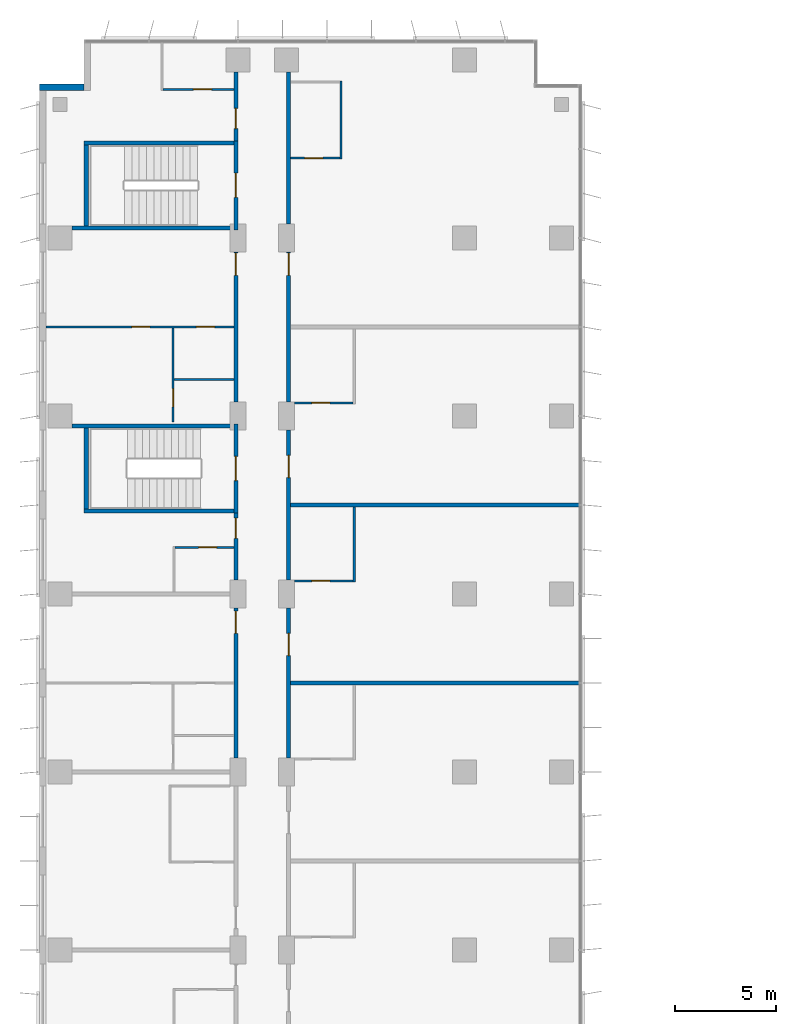
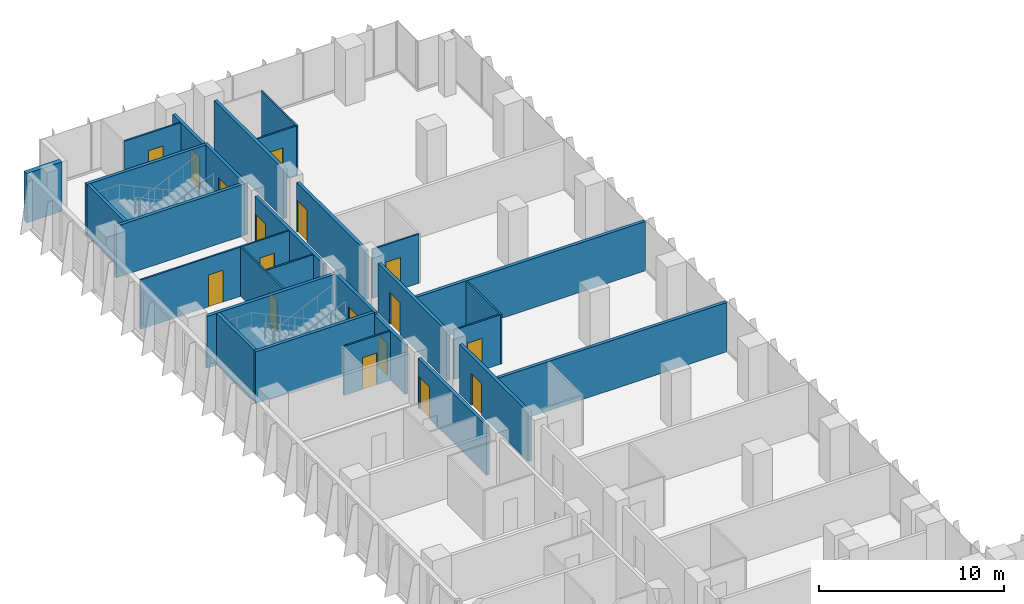
# One storey, part 17 of 22: 29 walls, 17 doors, 17 openings.
"""IFC4 building model written with IfcOpenShell, lengths in metres."""

import ifcopenshell
import ifcopenshell.guid

model = None  # the IFC model being written
_history = None  # IfcOwnerHistory: only IFC2X3 demands one
_inside = {}  # id of a spatial element -> (the spatial element, [elements in it])
_under = {}  # id of a project, library or spatial element -> (it, [spatial elements below it])
_declared = {}  # id of a project -> (the project, [libraries it declares])
_typed = {}  # id of a type object -> (the type object, [elements of that type])
_made_of = {}  # id of a material, layer set ... -> (it, [elements and type objects made of it])


def new_model(schema):
    """Start an empty IFC model of exactly this schema.

    Asked for "IFC4X3", IfcOpenShell would pick the latest addendum, in which some entities
    have other attributes; the version numbers below select the first issue.
    IFC2X3 requires an IfcOwnerHistory on every rooted entity: one is made here for all.
    """
    global model, _history
    if schema == "IFC4X3":
        model = ifcopenshell.file(schema_version=(4, 3, 0, 0))
    else:
        model = ifcopenshell.file(schema=schema)
    _inside.clear()
    _under.clear()
    _declared.clear()
    _typed.clear()
    _made_of.clear()
    _history = None
    if model.schema == "IFC2X3":
        org = make("IfcOrganization", Name="unknown")
        user = make(
            "IfcPersonAndOrganization",
            ThePerson=make("IfcPerson", FamilyName="unknown"),
            TheOrganization=org,
        )
        app = make(
            "IfcApplication",
            ApplicationDeveloper=org,
            Version="unknown",
            ApplicationFullName="unknown",
            ApplicationIdentifier="unknown",
        )
        _history = make(
            "IfcOwnerHistory",
            OwningUser=user,
            OwningApplication=app,
            ChangeAction="ADDED",
            CreationDate=0,
        )
    return model


def make(cls, **values):
    """One entity of the class cls with the attributes given. An attribute that is None is left unset."""
    return model.create_entity(
        cls, **{name: value for name, value in values.items() if value is not None}
    )


def rooted(cls, **values):
    """An entity with a GlobalId (a new one), such as an element, a storey or a relation."""
    return make(cls, GlobalId=ifcopenshell.guid.new(), OwnerHistory=_history, **values)


def si_unit(unit_type, name, prefix=None):
    """IfcSIUnit, for example si_unit("LENGTHUNIT", "METRE", prefix="MILLI")."""
    return make("IfcSIUnit", UnitType=unit_type, Prefix=prefix, Name=name)


def assignment(units):
    """IfcUnitAssignment: the units of a project."""
    return None if units is None else make("IfcUnitAssignment", Units=units)


def point(xyz):
    """IfcCartesianPoint."""
    return None if xyz is None else make("IfcCartesianPoint", Coordinates=xyz)


def direction(xyz):
    """IfcDirection."""
    return None if xyz is None else make("IfcDirection", DirectionRatios=xyz)


def frame(location, z_axis=None, x_axis=None):
    """IfcAxis2Placement3D, a coordinate frame: its origin and axes. An axis left out is left unset."""
    return make(
        "IfcAxis2Placement3D",
        Location=point(location),
        Axis=direction(z_axis),
        RefDirection=direction(x_axis),
    )


def frame_2d(location, x_axis=None):
    """IfcAxis2Placement2D, a coordinate frame in the plane: its origin and x axis."""
    return make(
        "IfcAxis2Placement2D", Location=point(location), RefDirection=direction(x_axis)
    )


def origin():
    """The frame at (0, 0, 0) with its axes left unset."""
    return frame((0.0, 0.0, 0.0))


def place(relative_to, where):
    """IfcLocalPlacement: puts the frame where relative to a parent placement (None: the world)."""
    return make(
        "IfcLocalPlacement", PlacementRelTo=relative_to, RelativePlacement=where
    )


def context(
    kind, dimensions, precision=None, world=None, true_north=None, identifier=None
):
    """IfcGeometricRepresentationContext, for example the 3D "Model" context."""
    return make(
        "IfcGeometricRepresentationContext",
        ContextIdentifier=identifier,
        ContextType=kind,
        CoordinateSpaceDimension=dimensions,
        Precision=precision,
        WorldCoordinateSystem=world,
        TrueNorth=true_north,
    )


def subcontext(parent, identifier, kind, view, scale=None):
    """IfcGeometricRepresentationSubContext, for example "Body" below "Model"."""
    return make(
        "IfcGeometricRepresentationSubContext",
        ContextIdentifier=identifier,
        ContextType=kind,
        ParentContext=parent,
        TargetScale=scale,
        TargetView=view,
    )


def project(units=None, contexts=None):
    """IfcProject with its units and contexts."""
    return rooted(
        "IfcProject",
        Name="project",
        RepresentationContexts=contexts,
        UnitsInContext=assignment(units),
    )


def spatial(cls, under=None, at=None, **own):
    """A site, building, storey or space (cls), placed at a placement, below another one or the project."""
    s = rooted(cls, ObjectPlacement=at, **own)
    if under is not None:
        _under.setdefault(under.id(), (under, []))[1].append(s)
    return s


def profile(cls, at=None, kind="AREA", **sizes):
    """A parametric profile (cls). Its sizes go by their IFC names, for example OverallWidth=200.0."""
    return make(cls, ProfileType=kind, Position=at, **sizes)


def rectangle(**sizes):
    """IfcRectangleProfileDef."""
    return profile("IfcRectangleProfileDef", **sizes)


def extrude(swept, where, along, depth):
    """IfcExtrudedAreaSolid: the profile swept, set in the frame where, extruded along a direction by depth."""
    return make(
        "IfcExtrudedAreaSolid",
        SweptArea=swept,
        Position=where,
        ExtrudedDirection=direction(along),
        Depth=depth,
    )


def shape(context_of_items, identifier, shape_type, items):
    """IfcShapeRepresentation: the items that make up one representation, for example the "Body"."""
    return make(
        "IfcShapeRepresentation",
        ContextOfItems=context_of_items,
        RepresentationIdentifier=identifier,
        RepresentationType=shape_type,
        Items=items,
    )


def material(Name=None, Category=None):
    """IfcMaterial."""
    return make("IfcMaterial", Name=Name, Category=Category)


def layer(
    of_material, thickness, ventilated=None, Name=None, Category=None, Priority=None
):
    """IfcMaterialLayer: one layer of a wall or slab, of a material (None: an air gap)."""
    return make(
        "IfcMaterialLayer",
        Material=of_material,
        LayerThickness=thickness,
        IsVentilated=ventilated,
        Name=Name,
        Category=Category,
        Priority=Priority,
    )


def layer_set(layers, Name=None):
    """IfcMaterialLayerSet."""
    return make("IfcMaterialLayerSet", MaterialLayers=layers, LayerSetName=Name)


def made_of(thing, what):
    """Note that an element or type object is made of a material, layer set ...; save() writes the relation."""
    if what is not None:
        _made_of.setdefault(what.id(), (what, []))[1].append(thing)
    return thing


def type_object(cls, material=None, **own):
    """A type object (cls), such as IfcWallType, which elements share."""
    return made_of(rooted(cls, **own), material)


def element(
    cls,
    number,
    at=None,
    inside=None,
    cuts=None,
    type_object=None,
    material=None,
    context=None,
    identifier="Body",
    shape_type=None,
    held_by="IfcProductDefinitionShape",
    body=None,
    shapes=None,
    **own,
):
    """One element of the class cls, such as IfcWall. Its Tag is "e" and its number.

    at: its placement. inside: the storey or other place that contains it. cuts: it is an
    opening in that element (IfcRelVoidsElement). A single representation is given by context,
    identifier, shape_type and body (its items); several are given by shapes. held_by: the class
    of the entity that holds the representations. save() writes the other relations.
    """
    e = rooted(cls, Tag="e%d" % number, ObjectPlacement=at, **own)
    if body is not None:
        shapes = [shape(context, identifier, shape_type, body)]
    if shapes is not None:
        e.Representation = make(held_by, Representations=shapes)
    if inside is not None:
        _inside.setdefault(inside.id(), (inside, []))[1].append(e)
    if cuts is not None:
        rooted(
            "IfcRelVoidsElement", RelatingBuildingElement=cuts, RelatedOpeningElement=e
        )
    if type_object is not None:
        _typed.setdefault(type_object.id(), (type_object, []))[1].append(e)
    return made_of(e, material)


def fill(opening, filler):
    """IfcRelFillsElement: the door or window that sits in an opening."""
    return rooted(
        "IfcRelFillsElement",
        RelatingOpeningElement=opening,
        RelatedBuildingElement=filler,
    )


def aggregate(whole, parts):
    """IfcRelAggregates: a whole, such as a stair, and the parts it consists of."""
    return rooted("IfcRelAggregates", RelatingObject=whole, RelatedObjects=parts)


def save(model, path):
    """Write the relations noted so far, then the file.

    IfcRelAggregates (storeys below a building ...), IfcRelContainedInSpatialStructure (elements
    in a storey), IfcRelDefinesByType, IfcRelAssociatesMaterial and IfcRelDeclares: one each for
    every whole, place, type object, material and project.
    """
    for whole, parts in _under.values():
        aggregate(whole, parts)
    for where, things in _inside.values():
        rooted(
            "IfcRelContainedInSpatialStructure",
            RelatedElements=things,
            RelatingStructure=where,
        )
    for kind, things in _typed.values():
        rooted("IfcRelDefinesByType", RelatedObjects=things, RelatingType=kind)
    for what, things in _made_of.values():
        rooted("IfcRelAssociatesMaterial", RelatedObjects=things, RelatingMaterial=what)
    for by, libraries in _declared.values():
        rooted("IfcRelDeclares", RelatingContext=by, RelatedDefinitions=libraries)
    model.write(path)


model = new_model("IFC4")

# Units and contexts
model_context = context("Model", 3, precision=1e-05, world=origin(), true_north=direction((0.0, 1.0)))
body_context = subcontext(model_context, "Body", "Model", "MODEL_VIEW")
ifc_project = project(units=[si_unit("LENGTHUNIT", "METRE"), si_unit("AREAUNIT", "SQUARE_METRE"), si_unit("VOLUMEUNIT", "CUBIC_METRE"), si_unit("PLANEANGLEUNIT", "RADIAN"), si_unit("MASSUNIT", "GRAM", prefix="KILO")], contexts=[model_context])

# Site, building, storey
site_placement = place(None, origin())
site = spatial("IfcSite", under=ifc_project, at=site_placement, CompositionType="ELEMENT")
building_placement = place(site_placement, origin())
building = spatial("IfcBuilding", under=site, at=building_placement, Name="Kemantara Hotel Tower", CompositionType="ELEMENT")
storey_placement = place(building_placement, frame((0.0, 0.0, 149.39990234375)))
storey = spatial("IfcBuildingStorey", under=building, at=storey_placement, Name="L36", CompositionType="ELEMENT", Elevation=149.39990234375)

# Wall
ifc_material_1 = material(Name="Bronze anodised aluminium cladding on insulated steel stud wall", Category="steel")
ifc_layer_1 = layer(ifc_material_1, 0.300048828125)
ifc_layer_set_1 = layer_set([ifc_layer_1], Name="Bronze anodised aluminium cladding on insulated steel stud wall")
wall_type_1 = type_object("IfcWallType", Name="BRONZE METAL-CLAD EXTERNAL WALL 300", PredefinedType="STANDARD", material=ifc_layer_set_1)
wall_1_placement = place(storey_placement, frame((2.199951171875, 78.85009765625, 0.0), z_axis=(0.0, 0.0, 1.0), x_axis=(-1.0, 0.0, 0.0)))
element("IfcWall", 1, at=wall_1_placement, inside=storey, type_object=wall_type_1, Name="EXTERNAL WALL L36 T2-R03", PredefinedType="STANDARD", context=body_context, shape_type="SweptSolid", body=[
    extrude(rectangle(XDim=2.199951171875, YDim=0.300048828125, at=frame_2d((1.10009765625, 0.0))), origin(), (0.0, 0.0, 1.0), 3.25),
])

# Wall, opening, door
ifc_material_2 = material(Name="Gypsum board partition, steel studs and mineral wool, 200 mm", Category="steel")
ifc_layer_2 = layer(ifc_material_2, 0.199951171875)
ifc_layer_set_2 = layer_set([ifc_layer_2], Name="Gypsum board partition, steel studs and mineral wool, 200 mm")
wall_type_2 = type_object("IfcWallType", Name="CORRIDOR WALL 200", PredefinedType="PARTITIONING", material=ifc_layer_set_2)
wall_2_placement = place(storey_placement, frame((9.699951171875, 45.7001953125, 0.0), z_axis=(0.0, 0.0, 1.0), x_axis=(0.0, 1.0, 0.0)))
wall_2 = element("IfcWall", 2, at=wall_2_placement, inside=storey, type_object=wall_type_2, Name="CORRIDOR WALL 200 021", PredefinedType="PARTITIONING", context=body_context, shape_type="SweptSolid", body=[
    extrude(rectangle(XDim=7.399658203125, YDim=0.199951171875, at=frame_2d((3.69970703125, 0.0))), origin(), (0.0, 0.0, 1.0), 3.25),
])
opening_1_placement = place(wall_2_placement, frame((6.14990234375, 0.0, 0.0)))
opening_1 = element("IfcOpeningElement", 3, at=opening_1_placement, cuts=wall_2, Name="Opening F16-033", PredefinedType="OPENING", context=body_context, shape_type="SweptSolid", body=[
    extrude(rectangle(XDim=1.10009765625, YDim=2.10009765625, at=frame_2d((0.550048828125, 1.050048828125))), frame((0.0, 0.10986328125, 0.0), z_axis=(0.0, -1.0, 0.0), x_axis=(1.0, 0.0, 0.0)), (0.0, 0.0, 1.0), 0.219970703125),
])
ifc_material_3 = material(Name="Hardwood veneer door leaf with steel frame", Category="steel")
door_type_1 = type_object("IfcDoorType", Name="SUITE ENTRANCE DOOR 1100 X 2100 FD30S", OperationType="NOTDEFINED", PredefinedType="DOOR", material=ifc_material_3)
door_1_placement = place(opening_1_placement, origin())
door_1 = element("IfcDoor", 4, at=door_1_placement, inside=storey, type_object=door_type_1, Name="SUITE ENTRANCE DOOR F16-033", OperationType="SINGLE_SWING_RIGHT", OverallHeight=2.10009765625, OverallWidth=1.10009765625, PredefinedType="DOOR", context=body_context, shape_type="SweptSolid", body=[
    extrude(rectangle(XDim=1.10009765625, YDim=2.10009765625, at=frame_2d((0.550048828125, 1.050048828125))), frame((0.0, 0.02490234375, 0.0), z_axis=(0.0, -1.0, 0.0), x_axis=(1.0, 0.0, 0.0)), (0.0, 0.0, 1.0), 0.050048828125),
])
fill(opening_1, door_1)

wall_3_placement = place(storey_placement, frame((9.699951171875, 54.5, 0.0), z_axis=(0.0, 0.0, 1.0), x_axis=(0.0, 1.0, 0.0)))
wall_3 = element("IfcWall", 5, at=wall_3_placement, inside=storey, type_object=wall_type_2, Name="CORRIDOR WALL 200 022", PredefinedType="PARTITIONING", context=body_context, shape_type="SweptSolid", body=[
    extrude(rectangle(XDim=3.300048828125, YDim=0.199951171875, at=frame_2d((1.64990234375, 0.0))), origin(), (0.0, 0.0, 1.0), 3.25),
])
opening_2_placement = place(wall_3_placement, frame((2.0498046875, 0.0, 0.0)))
opening_2 = element("IfcOpeningElement", 6, at=opening_2_placement, cuts=wall_3, Name="Opening F16-037", PredefinedType="OPENING", context=body_context, shape_type="SweptSolid", body=[
    extrude(rectangle(XDim=1.0, YDim=2.10009765625, at=frame_2d((0.5, 1.050048828125))), frame((0.0, 0.10986328125, 0.0), z_axis=(0.0, -1.0, 0.0), x_axis=(1.0, 0.0, 0.0)), (0.0, 0.0, 1.0), 0.219970703125),
])
door_type_2 = type_object("IfcDoorType", Name="GUEST ROOM DOOR 1000 X 2100 FD30S", OperationType="NOTDEFINED", PredefinedType="DOOR", material=ifc_material_3)
door_2_placement = place(opening_2_placement, origin())
door_2 = element("IfcDoor", 7, at=door_2_placement, inside=storey, type_object=door_type_2, Name="GUEST ROOM DOOR F16-037", OperationType="SINGLE_SWING_RIGHT", OverallHeight=2.10009765625, OverallWidth=1.0, PredefinedType="DOOR", context=body_context, shape_type="SweptSolid", body=[
    extrude(rectangle(XDim=1.0, YDim=2.10009765625, at=frame_2d((0.5, 1.050048828125))), frame((0.0, 0.02490234375, 0.0), z_axis=(0.0, -1.0, 0.0), x_axis=(1.0, 0.0, 0.0)), (0.0, 0.0, 1.0), 0.050048828125),
])
fill(opening_2, door_2)

wall_4_placement = place(storey_placement, frame((9.699951171875, 63.300048828125, 0.0), z_axis=(0.0, 0.0, 1.0), x_axis=(0.0, 1.0, 0.0)))
wall_4 = element("IfcWall", 8, at=wall_4_placement, inside=storey, type_object=wall_type_2, Name="CORRIDOR WALL 200 023", PredefinedType="PARTITIONING", context=body_context, shape_type="SweptSolid", body=[
    extrude(rectangle(XDim=7.39990234375, YDim=0.199951171875, at=frame_2d((3.699951171875, 0.0))), origin(), (0.0, 0.0, 1.0), 3.25),
])
opening_3_placement = place(wall_4_placement, frame((6.25, 0.0, 0.0)))
opening_3 = element("IfcOpeningElement", 9, at=opening_3_placement, cuts=wall_4, Name="Opening F16-039", PredefinedType="OPENING", context=body_context, shape_type="SweptSolid", body=[
    extrude(rectangle(XDim=1.10009765625, YDim=2.10009765625, at=frame_2d((0.550048828125, 1.050048828125))), frame((0.0, 0.10986328125, 0.0), z_axis=(0.0, -1.0, 0.0), x_axis=(1.0, 0.0, 0.0)), (0.0, 0.0, 1.0), 0.219970703125),
])
door_3_placement = place(opening_3_placement, origin())
door_3 = element("IfcDoor", 10, at=door_3_placement, inside=storey, type_object=door_type_1, Name="SUITE ENTRANCE DOOR F16-039", OperationType="SINGLE_SWING_RIGHT", OverallHeight=2.10009765625, OverallWidth=1.10009765625, PredefinedType="DOOR", context=body_context, shape_type="SweptSolid", body=[
    extrude(rectangle(XDim=1.10009765625, YDim=2.10009765625, at=frame_2d((0.550048828125, 1.050048828125))), frame((0.0, 0.02490234375, 0.0), z_axis=(0.0, -1.0, 0.0), x_axis=(1.0, 0.0, 0.0)), (0.0, 0.0, 1.0), 0.050048828125),
])
fill(opening_3, door_3)

wall_5_placement = place(storey_placement, frame((9.699951171875, 76.199951171875, 0.0), z_axis=(0.0, 0.0, 1.0), x_axis=(0.0, 1.0, 0.0)))
wall_5 = element("IfcWall", 11, at=wall_5_placement, inside=storey, type_object=wall_type_2, Name="CORRIDOR WALL 200 024", PredefinedType="PARTITIONING", context=body_context, shape_type="SweptSolid", body=[
    extrude(rectangle(XDim=3.39990234375, YDim=0.199951171875, at=frame_2d((1.699951171875, 0.0))), origin(), (0.0, 0.0, 1.0), 3.25),
])
opening_4_placement = place(wall_5_placement, frame((0.60009765625, 0.0, 0.0)))
opening_4 = element("IfcOpeningElement", 12, at=opening_4_placement, cuts=wall_5, Name="Opening F16-043", PredefinedType="OPENING", context=body_context, shape_type="SweptSolid", body=[
    extrude(rectangle(XDim=1.0, YDim=2.10009765625, at=frame_2d((0.5, 1.050048828125))), frame((0.0, 0.10986328125, 0.0), z_axis=(0.0, -1.0, 0.0), x_axis=(1.0, 0.0, 0.0)), (0.0, 0.0, 1.0), 0.219970703125),
])
door_4_placement = place(opening_4_placement, origin())
door_4 = element("IfcDoor", 13, at=door_4_placement, inside=storey, type_object=door_type_2, Name="GUEST ROOM DOOR F16-043", OperationType="SINGLE_SWING_LEFT", OverallHeight=2.10009765625, OverallWidth=1.0, PredefinedType="DOOR", context=body_context, shape_type="SweptSolid", body=[
    extrude(rectangle(XDim=1.0, YDim=2.10009765625, at=frame_2d((0.5, 1.050048828125))), frame((0.0, 0.02490234375, 0.0), z_axis=(0.0, -1.0, 0.0), x_axis=(1.0, 0.0, 0.0)), (0.0, 0.0, 1.0), 0.050048828125),
])
fill(opening_4, door_4)

wall_6_placement = place(storey_placement, frame((12.300048828125, 53.099853515625, 0.0), z_axis=(0.0, 0.0, 1.0), x_axis=(0.0, -1.0, 0.0)))
wall_6 = element("IfcWall", 14, at=wall_6_placement, inside=storey, type_object=wall_type_2, Name="CORRIDOR WALL 200 035", PredefinedType="PARTITIONING", context=body_context, shape_type="SweptSolid", body=[
    extrude(rectangle(XDim=7.399658203125, YDim=0.199951171875, at=frame_2d((3.69970703125, 0.0))), origin(), (0.0, 0.0, 1.0), 3.25),
])
opening_5_placement = place(wall_6_placement, frame((1.25, 0.0, 0.0)))
opening_5 = element("IfcOpeningElement", 15, at=opening_5_placement, cuts=wall_6, Name="Opening F16-051", PredefinedType="OPENING", context=body_context, shape_type="SweptSolid", body=[
    extrude(rectangle(XDim=1.10009765625, YDim=2.10009765625, at=frame_2d((0.550048828125, 1.050048828125))), frame((0.0, 0.10986328125, 0.0), z_axis=(0.0, -1.0, 0.0), x_axis=(1.0, 0.0, 0.0)), (0.0, 0.0, 1.0), 0.219970703125),
])
door_5_placement = place(opening_5_placement, origin())
door_5 = element("IfcDoor", 16, at=door_5_placement, inside=storey, type_object=door_type_1, Name="SUITE ENTRANCE DOOR F16-051", OperationType="SINGLE_SWING_RIGHT", OverallHeight=2.10009765625, OverallWidth=1.10009765625, PredefinedType="DOOR", context=body_context, shape_type="SweptSolid", body=[
    extrude(rectangle(XDim=1.10009765625, YDim=2.10009765625, at=frame_2d((0.550048828125, 1.050048828125))), frame((0.0, 0.02490234375, 0.0), z_axis=(0.0, -1.0, 0.0), x_axis=(1.0, 0.0, 0.0)), (0.0, 0.0, 1.0), 0.050048828125),
])
fill(opening_5, door_5)

wall_7_placement = place(storey_placement, frame((12.300048828125, 61.89990234375, 0.0), z_axis=(0.0, 0.0, 1.0), x_axis=(0.0, -1.0, 0.0)))
wall_7 = element("IfcWall", 17, at=wall_7_placement, inside=storey, type_object=wall_type_2, Name="CORRIDOR WALL 200 036", PredefinedType="PARTITIONING", context=body_context, shape_type="SweptSolid", body=[
    extrude(rectangle(XDim=7.39990234375, YDim=0.199951171875, at=frame_2d((3.699951171875, 0.0))), origin(), (0.0, 0.0, 1.0), 3.25),
])
opening_6_placement = place(wall_7_placement, frame((1.25, 0.0, 0.0)))
opening_6 = element("IfcOpeningElement", 18, at=opening_6_placement, cuts=wall_7, Name="Opening F16-053", PredefinedType="OPENING", context=body_context, shape_type="SweptSolid", body=[
    extrude(rectangle(XDim=1.10009765625, YDim=2.10009765625, at=frame_2d((0.550048828125, 1.050048828125))), frame((0.0, 0.10986328125, 0.0), z_axis=(0.0, -1.0, 0.0), x_axis=(1.0, 0.0, 0.0)), (0.0, 0.0, 1.0), 0.219970703125),
])
door_6_placement = place(opening_6_placement, origin())
door_6 = element("IfcDoor", 19, at=door_6_placement, inside=storey, type_object=door_type_1, Name="SUITE ENTRANCE DOOR F16-053", OperationType="SINGLE_SWING_RIGHT", OverallHeight=2.10009765625, OverallWidth=1.10009765625, PredefinedType="DOOR", context=body_context, shape_type="SweptSolid", body=[
    extrude(rectangle(XDim=1.10009765625, YDim=2.10009765625, at=frame_2d((0.550048828125, 1.050048828125))), frame((0.0, 0.02490234375, 0.0), z_axis=(0.0, -1.0, 0.0), x_axis=(1.0, 0.0, 0.0)), (0.0, 0.0, 1.0), 0.050048828125),
])
fill(opening_6, door_6)

wall_8_placement = place(storey_placement, frame((12.300048828125, 70.699951171875, 0.0), z_axis=(0.0, 0.0, 1.0), x_axis=(0.0, -1.0, 0.0)))
wall_8 = element("IfcWall", 20, at=wall_8_placement, inside=storey, type_object=wall_type_2, Name="CORRIDOR WALL 200 037", PredefinedType="PARTITIONING", context=body_context, shape_type="SweptSolid", body=[
    extrude(rectangle(XDim=7.39990234375, YDim=0.199951171875, at=frame_2d((3.699951171875, 0.0))), origin(), (0.0, 0.0, 1.0), 3.25),
])
opening_7_placement = place(wall_8_placement, frame((0.0498046875, 0.0, 0.0)))
opening_7 = element("IfcOpeningElement", 21, at=opening_7_placement, cuts=wall_8, Name="Opening F16-055", PredefinedType="OPENING", context=body_context, shape_type="SweptSolid", body=[
    extrude(rectangle(XDim=1.10009765625, YDim=2.10009765625, at=frame_2d((0.550048828125, 1.050048828125))), frame((0.0, 0.10986328125, 0.0), z_axis=(0.0, -1.0, 0.0), x_axis=(1.0, 0.0, 0.0)), (0.0, 0.0, 1.0), 0.219970703125),
])
door_7_placement = place(opening_7_placement, origin())
door_7 = element("IfcDoor", 22, at=door_7_placement, inside=storey, type_object=door_type_1, Name="SUITE ENTRANCE DOOR F16-055", OperationType="SINGLE_SWING_RIGHT", OverallHeight=2.10009765625, OverallWidth=1.10009765625, PredefinedType="DOOR", context=body_context, shape_type="SweptSolid", body=[
    extrude(rectangle(XDim=1.10009765625, YDim=2.10009765625, at=frame_2d((0.550048828125, 1.050048828125))), frame((0.0, 0.02490234375, 0.0), z_axis=(0.0, -1.0, 0.0), x_axis=(1.0, 0.0, 0.0)), (0.0, 0.0, 1.0), 0.050048828125),
])
fill(opening_7, door_7)

# Wall
wall_9_placement = place(storey_placement, frame((12.300048828125, 72.10009765625, 0.0), z_axis=(0.0, 0.0, 1.0), x_axis=(0.0, 1.0, 0.0)))
element("IfcWall", 23, at=wall_9_placement, inside=storey, type_object=wall_type_2, Name="CORRIDOR WALL 200 038", PredefinedType="PARTITIONING", context=body_context, shape_type="SweptSolid", body=[
    extrude(rectangle(XDim=7.499755859375, YDim=0.199951171875, at=frame_2d((3.75, 0.0))), origin(), (0.0, 0.0, 1.0), 3.25),
])

# Wall, opening, door
ifc_material_4 = material(Name="Concrete fc 40 MPa", Category="concrete")
ifc_layer_3 = layer(ifc_material_4, 0.199951171875)
ifc_layer_set_3 = layer_set([ifc_layer_3], Name="Concrete fc 40 MPa")
wall_type_3 = type_object("IfcWallType", Name="Concrete stair wall 200 mm", PredefinedType="SHEAR", material=ifc_layer_set_3)
wall_10_placement = place(storey_placement, frame((9.699951171875, 57.800048828125, 0.0), z_axis=(0.0, 0.0, 1.0), x_axis=(0.0, 1.0, 0.0)))
wall_10 = element("IfcWall", 24, at=wall_10_placement, inside=storey, type_object=wall_type_3, Name="Stair ST4 enclosure wall with door", PredefinedType="SHEAR", context=body_context, shape_type="SweptSolid", body=[
    extrude(rectangle(XDim=4.39990234375, YDim=0.199951171875, at=frame_2d((2.199951171875, 0.0))), origin(), (0.0, 0.0, 1.0), 3.400146484375),
])
opening_8_placement = place(wall_10_placement, frame((1.60009765625, 0.0, 0.0)))
opening_8 = element("IfcOpeningElement", 25, at=opening_8_placement, cuts=wall_10, Name="Opening ST4-C", PredefinedType="OPENING", context=body_context, shape_type="SweptSolid", body=[
    extrude(rectangle(XDim=1.199951171875, YDim=2.10009765625, at=frame_2d((0.60009765625, 1.050048828125))), frame((0.0, 0.10986328125, 0.0), z_axis=(0.0, -1.0, 0.0), x_axis=(1.0, 0.0, 0.0)), (0.0, 0.0, 1.0), 0.219970703125),
])
ifc_material_5 = material(Name="Steel fire door", Category="steel")
door_type_3 = type_object("IfcDoorType", Name="Fire door FD90 1200 x 2100", OperationType="NOTDEFINED", PredefinedType="DOOR", material=ifc_material_5)
door_8_placement = place(opening_8_placement, origin())
door_8 = element("IfcDoor", 26, at=door_8_placement, inside=storey, type_object=door_type_3, Name="Stair ST4 door", OperationType="SINGLE_SWING_RIGHT", OverallHeight=2.10009765625, OverallWidth=1.199951171875, PredefinedType="DOOR", context=body_context, shape_type="SweptSolid", body=[
    extrude(rectangle(XDim=1.199951171875, YDim=2.10009765625, at=frame_2d((0.60009765625, 1.050048828125))), frame((0.0, 0.02490234375, 0.0), z_axis=(0.0, -1.0, 0.0), x_axis=(1.0, 0.0, 0.0)), (0.0, 0.0, 1.0), 0.050048828125),
])
fill(opening_8, door_8)

# Walls
wall_11_placement = place(storey_placement, frame((1.60009765625, 62.10009765625, 0.0), z_axis=(0.0, 0.0, 1.0), x_axis=(1.0, 0.0, 0.0)))
element("IfcWall", 27, at=wall_11_placement, inside=storey, type_object=wall_type_3, Name="Stair ST4 enclosure wall N", PredefinedType="SHEAR", context=body_context, shape_type="SweptSolid", body=[
    extrude(rectangle(XDim=8.0, YDim=0.199951171875, at=frame_2d((4.0, 0.0))), origin(), (0.0, 0.0, 1.0), 3.400146484375),
])
wall_12_placement = place(storey_placement, frame((2.199951171875, 57.89990234375, 0.0), z_axis=(0.0, 0.0, 1.0), x_axis=(1.0, 0.0, 0.0)))
element("IfcWall", 28, at=wall_12_placement, inside=storey, type_object=wall_type_3, Name="Stair ST4 enclosure wall S", PredefinedType="SHEAR", context=body_context, shape_type="SweptSolid", body=[
    extrude(rectangle(XDim=7.400146484375, YDim=0.199951171875, at=frame_2d((3.7001953125, 0.0))), origin(), (0.0, 0.0, 1.0), 3.400146484375),
])
wall_13_placement = place(storey_placement, frame((2.300048828125, 58.0, 0.0), z_axis=(0.0, 0.0, 1.0), x_axis=(0.0, 1.0, 0.0)))
element("IfcWall", 29, at=wall_13_placement, inside=storey, type_object=wall_type_3, Name="Stair ST4 enclosure wall W", PredefinedType="SHEAR", context=body_context, shape_type="SweptSolid", body=[
    extrude(rectangle(XDim=4.0, YDim=0.199951171875, at=frame_2d((2.0, 0.0))), origin(), (0.0, 0.0, 1.0), 3.400146484375),
])

# Wall, opening, door
wall_14_placement = place(storey_placement, frame((9.699951171875, 71.800048828125, 0.0), z_axis=(0.0, 0.0, 1.0), x_axis=(0.0, 1.0, 0.0)))
wall_14 = element("IfcWall", 30, at=wall_14_placement, inside=storey, type_object=wall_type_3, Name="Stair ST6 enclosure wall with door", PredefinedType="SHEAR", context=body_context, shape_type="SweptSolid", body=[
    extrude(rectangle(XDim=4.39990234375, YDim=0.199951171875, at=frame_2d((2.199951171875, 0.0))), origin(), (0.0, 0.0, 1.0), 3.400146484375),
])
opening_9_placement = place(wall_14_placement, frame((1.60009765625, 0.0, 0.0)))
opening_9 = element("IfcOpeningElement", 31, at=opening_9_placement, cuts=wall_14, Name="Opening ST6-C", PredefinedType="OPENING", context=body_context, shape_type="SweptSolid", body=[
    extrude(rectangle(XDim=1.199951171875, YDim=2.10009765625, at=frame_2d((0.60009765625, 1.050048828125))), frame((0.0, 0.10986328125, 0.0), z_axis=(0.0, -1.0, 0.0), x_axis=(1.0, 0.0, 0.0)), (0.0, 0.0, 1.0), 0.219970703125),
])
door_9_placement = place(opening_9_placement, origin())
door_9 = element("IfcDoor", 32, at=door_9_placement, inside=storey, type_object=door_type_3, Name="Stair ST6 door", OperationType="SINGLE_SWING_RIGHT", OverallHeight=2.10009765625, OverallWidth=1.199951171875, PredefinedType="DOOR", context=body_context, shape_type="SweptSolid", body=[
    extrude(rectangle(XDim=1.199951171875, YDim=2.10009765625, at=frame_2d((0.60009765625, 1.050048828125))), frame((0.0, 0.02490234375, 0.0), z_axis=(0.0, -1.0, 0.0), x_axis=(1.0, 0.0, 0.0)), (0.0, 0.0, 1.0), 0.050048828125),
])
fill(opening_9, door_9)

# Walls
wall_15_placement = place(storey_placement, frame((2.199951171875, 76.10009765625, 0.0), z_axis=(0.0, 0.0, 1.0), x_axis=(1.0, 0.0, 0.0)))
element("IfcWall", 33, at=wall_15_placement, inside=storey, type_object=wall_type_3, Name="Stair ST6 enclosure wall N", PredefinedType="SHEAR", context=body_context, shape_type="SweptSolid", body=[
    extrude(rectangle(XDim=7.400146484375, YDim=0.199951171875, at=frame_2d((3.7001953125, 0.0))), origin(), (0.0, 0.0, 1.0), 3.400146484375),
])
wall_16_placement = place(storey_placement, frame((1.60009765625, 71.89990234375, 0.0), z_axis=(0.0, 0.0, 1.0), x_axis=(1.0, 0.0, 0.0)))
element("IfcWall", 34, at=wall_16_placement, inside=storey, type_object=wall_type_3, Name="Stair ST6 enclosure wall S", PredefinedType="SHEAR", context=body_context, shape_type="SweptSolid", body=[
    extrude(rectangle(XDim=8.0, YDim=0.199951171875, at=frame_2d((4.0, 0.0))), origin(), (0.0, 0.0, 1.0), 3.400146484375),
])
wall_17_placement = place(storey_placement, frame((2.300048828125, 72.0, 0.0), z_axis=(0.0, 0.0, 1.0), x_axis=(0.0, 1.0, 0.0)))
element("IfcWall", 35, at=wall_17_placement, inside=storey, type_object=wall_type_3, Name="Stair ST6 enclosure wall W", PredefinedType="SHEAR", context=body_context, shape_type="SweptSolid", body=[
    extrude(rectangle(XDim=4.0, YDim=0.199951171875, at=frame_2d((2.0, 0.0))), origin(), (0.0, 0.0, 1.0), 3.400146484375),
])
ifc_layer_4 = layer(ifc_material_2, 0.199951171875)
ifc_layer_set_4 = layer_set([ifc_layer_4], Name="Gypsum board partition, steel studs and mineral wool, 200 mm")
wall_type_4 = type_object("IfcWallType", Name="GUEST ROOM PARTY WALL 200", PredefinedType="PARTITIONING", material=ifc_layer_set_4)
for number, where, z_axis, x_axis, name in (
    (36, (12.39990234375, 49.39990234375, 0.0), (0.0, 0.0, 1.0), (1.0, 0.0, 0.0), "GUEST ROOM PARTY WALL 200 042"),
    (37, (12.39990234375, 58.199951171875, 0.0), (0.0, 0.0, 1.0), (1.0, 0.0, 0.0), "GUEST ROOM PARTY WALL 200 043"),
):
    element("IfcWall", number, at=place(storey_placement, frame(where, z_axis=z_axis, x_axis=x_axis)), inside=storey, type_object=wall_type_4, Name=name, PredefinedType="PARTITIONING", context=body_context, shape_type="SweptSolid", body=[
        extrude(rectangle(XDim=14.27001953125, YDim=0.199951171875, at=frame_2d((7.135009765625, 0.0))), origin(), (0.0, 0.0, 1.0), 3.25),
    ])

# Wall, opening, door
ifc_material_6 = material(Name="Gypsum board partition on steel studs, 100 mm", Category="steel")
ifc_layer_5 = layer(ifc_material_6, 0.10009765625)
ifc_layer_set_5 = layer_set([ifc_layer_5], Name="Gypsum board partition on steel studs, 100 mm")
wall_type_5 = type_object("IfcWallType", Name="ROOM PARTITION 100", PredefinedType="PARTITIONING", material=ifc_layer_set_5)
wall_18_placement = place(storey_placement, frame((6.60009765625, 66.949951171875, 0.0), z_axis=(0.0, 0.0, 1.0), x_axis=(0.0, -1.0, 0.0)))
wall_18 = element("IfcWall", 38, at=wall_18_placement, inside=storey, type_object=wall_type_5, Name="ROOM PARTITION 100 069", PredefinedType="PARTITIONING", context=body_context, shape_type="SweptSolid", body=[
    extrude(rectangle(XDim=4.64990234375, YDim=0.10009765625, at=frame_2d((2.324951171875, 0.0))), origin(), (0.0, 0.0, 1.0), 3.25),
])
opening_10_placement = place(wall_18_placement, frame((3.0, 0.0, 0.0)))
opening_10 = element("IfcOpeningElement", 39, at=opening_10_placement, cuts=wall_18, Name="Opening F16-042", PredefinedType="OPENING", context=body_context, shape_type="SweptSolid", body=[
    extrude(rectangle(XDim=0.89990234375, YDim=2.10009765625, at=frame_2d((0.449951171875, 1.050048828125))), frame((0.0, 0.06005859375, 0.0), z_axis=(0.0, -1.0, 0.0), x_axis=(1.0, 0.0, 0.0)), (0.0, 0.0, 1.0), 0.1201171875),
])
door_type_4 = type_object("IfcDoorType", Name="BATHROOM DOOR 900 X 2100", OperationType="NOTDEFINED", PredefinedType="DOOR", material=ifc_material_3)
door_10_placement = place(opening_10_placement, origin())
door_10 = element("IfcDoor", 40, at=door_10_placement, inside=storey, type_object=door_type_4, Name="BATHROOM DOOR F16-042", OperationType="SINGLE_SWING_LEFT", OverallHeight=2.10009765625, OverallWidth=0.89990234375, PredefinedType="DOOR", context=body_context, shape_type="SweptSolid", body=[
    extrude(rectangle(XDim=0.89990234375, YDim=2.10009765625, at=frame_2d((0.449951171875, 1.050048828125))), frame((0.0, 0.02490234375, 0.0), z_axis=(0.0, -1.0, 0.0), x_axis=(1.0, 0.0, 0.0)), (0.0, 0.0, 1.0), 0.050048828125),
])
fill(opening_10, door_10)

wall_19_placement = place(storey_placement, frame((9.60009765625, 56.10009765625, 0.0), z_axis=(0.0, 0.0, 1.0), x_axis=(-1.0, 0.0, 0.0)))
wall_19 = element("IfcWall", 41, at=wall_19_placement, inside=storey, type_object=wall_type_5, Name="ROOM PARTITION 100 083", PredefinedType="PARTITIONING", context=body_context, shape_type="SweptSolid", body=[
    extrude(rectangle(XDim=2.900146484375, YDim=0.10009765625, at=frame_2d((1.4501953125, 0.0))), origin(), (0.0, 0.0, 1.0), 3.25),
])
opening_11_placement = place(wall_19_placement, frame((0.85009765625, 0.0, 0.0)))
opening_11 = element("IfcOpeningElement", 42, at=opening_11_placement, cuts=wall_19, Name="Opening F16-038", PredefinedType="OPENING", context=body_context, shape_type="SweptSolid", body=[
    extrude(rectangle(XDim=0.89990234375, YDim=2.10009765625, at=frame_2d((0.449951171875, 1.050048828125))), frame((0.0, 0.06005859375, 0.0), z_axis=(0.0, -1.0, 0.0), x_axis=(1.0, 0.0, 0.0)), (0.0, 0.0, 1.0), 0.1201171875),
])
door_11_placement = place(opening_11_placement, origin())
door_11 = element("IfcDoor", 43, at=door_11_placement, inside=storey, type_object=door_type_4, Name="BATHROOM DOOR F16-038", OperationType="SINGLE_SWING_LEFT", OverallHeight=2.10009765625, OverallWidth=0.89990234375, PredefinedType="DOOR", context=body_context, shape_type="SweptSolid", body=[
    extrude(rectangle(XDim=0.89990234375, YDim=2.10009765625, at=frame_2d((0.449951171875, 1.050048828125))), frame((0.0, 0.02490234375, 0.0), z_axis=(0.0, -1.0, 0.0), x_axis=(1.0, 0.0, 0.0)), (0.0, 0.0, 1.0), 0.050048828125),
])
fill(opening_11, door_11)

# Wall, openings, doors
wall_20_placement = place(storey_placement, frame((0.31005859375, 67.0, 0.0), z_axis=(0.0, 0.0, 1.0), x_axis=(1.0, 0.0, 0.0)))
wall_20 = element("IfcWall", 44, at=wall_20_placement, inside=storey, type_object=wall_type_5, Name="ROOM PARTITION 100 084", PredefinedType="PARTITIONING", context=body_context, shape_type="SweptSolid", body=[
    extrude(rectangle(XDim=9.2900390625, YDim=0.10009765625, at=frame_2d((4.64501953125, 0.0))), origin(), (0.0, 0.0, 1.0), 3.25),
])
opening_12_placement = place(wall_20_placement, frame((7.43994140625, 0.0, 0.0)))
opening_12 = element("IfcOpeningElement", 45, at=opening_12_placement, cuts=wall_20, Name="Opening F16-040", PredefinedType="OPENING", context=body_context, shape_type="SweptSolid", body=[
    extrude(rectangle(XDim=0.89990234375, YDim=2.10009765625, at=frame_2d((0.449951171875, 1.050048828125))), frame((0.0, 0.06005859375, 0.0), z_axis=(0.0, -1.0, 0.0), x_axis=(1.0, 0.0, 0.0)), (0.0, 0.0, 1.0), 0.1201171875),
])
opening_13_placement = place(wall_20_placement, frame((4.239990234375, 0.0, 0.0)))
opening_13 = element("IfcOpeningElement", 46, at=opening_13_placement, cuts=wall_20, Name="Opening F16-041", PredefinedType="OPENING", context=body_context, shape_type="SweptSolid", body=[
    extrude(rectangle(XDim=0.89990234375, YDim=2.10009765625, at=frame_2d((0.449951171875, 1.050048828125))), frame((0.0, 0.06005859375, 0.0), z_axis=(0.0, -1.0, 0.0), x_axis=(1.0, 0.0, 0.0)), (0.0, 0.0, 1.0), 0.1201171875),
])
door_type_5 = type_object("IfcDoorType", Name="INTERNAL DOOR 900 X 2100", OperationType="NOTDEFINED", PredefinedType="DOOR", material=ifc_material_3)
door_12_placement = place(opening_13_placement, frame((0.89990234375, 0.0, 0.0), z_axis=(0.0, 0.0, 1.0), x_axis=(-1.0, 0.0, 0.0)))
door_12 = element("IfcDoor", 47, at=door_12_placement, inside=storey, type_object=door_type_5, Name="INTERNAL DOOR F16-041", OperationType="SINGLE_SWING_RIGHT", OverallHeight=2.10009765625, OverallWidth=0.89990234375, PredefinedType="DOOR", context=body_context, shape_type="SweptSolid", body=[
    extrude(rectangle(XDim=0.89990234375, YDim=2.10009765625, at=frame_2d((0.449951171875, 1.050048828125))), frame((0.0, 0.02490234375, 0.0), z_axis=(0.0, -1.0, 0.0), x_axis=(1.0, 0.0, 0.0)), (0.0, 0.0, 1.0), 0.050048828125),
])
fill(opening_13, door_12)
door_type_6 = type_object("IfcDoorType", Name="PANTRY DOOR 900 X 2100", OperationType="NOTDEFINED", PredefinedType="DOOR", material=ifc_material_3)
door_13_placement = place(opening_12_placement, origin())
door_13 = element("IfcDoor", 48, at=door_13_placement, inside=storey, type_object=door_type_6, Name="PANTRY DOOR F16-040", OperationType="SINGLE_SWING_RIGHT", OverallHeight=2.10009765625, OverallWidth=0.89990234375, PredefinedType="DOOR", context=body_context, shape_type="SweptSolid", body=[
    extrude(rectangle(XDim=0.89990234375, YDim=2.10009765625, at=frame_2d((0.449951171875, 1.050048828125))), frame((0.0, 0.02490234375, 0.0), z_axis=(0.0, -1.0, 0.0), x_axis=(1.0, 0.0, 0.0)), (0.0, 0.0, 1.0), 0.050048828125),
])
fill(opening_12, door_13)

# Wall
wall_21_placement = place(storey_placement, frame((6.64990234375, 64.39990234375, 0.0), z_axis=(0.0, 0.0, 1.0), x_axis=(1.0, 0.0, 0.0)))
element("IfcWall", 49, at=wall_21_placement, inside=storey, type_object=wall_type_5, Name="ROOM PARTITION 100 085", PredefinedType="PARTITIONING", context=body_context, shape_type="SweptSolid", body=[
    extrude(rectangle(XDim=2.9501953125, YDim=0.10009765625, at=frame_2d((1.47509765625, 0.0))), origin(), (0.0, 0.0, 1.0), 3.25),
])

# Wall, opening, door
wall_22_placement = place(storey_placement, frame((6.10009765625, 78.75, 0.0), z_axis=(0.0, 0.0, 1.0), x_axis=(1.0, 0.0, 0.0)))
wall_22 = element("IfcWall", 50, at=wall_22_placement, inside=storey, type_object=wall_type_5, Name="ROOM PARTITION 100 086", PredefinedType="PARTITIONING", context=body_context, shape_type="SweptSolid", body=[
    extrude(rectangle(XDim=3.5, YDim=0.10009765625, at=frame_2d((1.75, 0.0))), origin(), (0.0, 0.0, 1.0), 3.25),
])
opening_14_placement = place(wall_22_placement, frame((1.5, 0.0, 0.0)))
opening_14 = element("IfcOpeningElement", 51, at=opening_14_placement, cuts=wall_22, Name="Opening F16-044", PredefinedType="OPENING", context=body_context, shape_type="SweptSolid", body=[
    extrude(rectangle(XDim=0.89990234375, YDim=2.10009765625, at=frame_2d((0.449951171875, 1.050048828125))), frame((0.0, 0.06005859375, 0.0), z_axis=(0.0, -1.0, 0.0), x_axis=(1.0, 0.0, 0.0)), (0.0, 0.0, 1.0), 0.1201171875),
])
door_14_placement = place(opening_14_placement, origin())
door_14 = element("IfcDoor", 52, at=door_14_placement, inside=storey, type_object=door_type_4, Name="BATHROOM DOOR F16-044", OperationType="SINGLE_SWING_RIGHT", OverallHeight=2.10009765625, OverallWidth=0.89990234375, PredefinedType="DOOR", context=body_context, shape_type="SweptSolid", body=[
    extrude(rectangle(XDim=0.89990234375, YDim=2.10009765625, at=frame_2d((0.449951171875, 1.050048828125))), frame((0.0, 0.02490234375, 0.0), z_axis=(0.0, -1.0, 0.0), x_axis=(1.0, 0.0, 0.0)), (0.0, 0.0, 1.0), 0.050048828125),
])
fill(opening_14, door_14)

# Wall
wall_23_placement = place(storey_placement, frame((15.550048828125, 54.39990234375, 0.0), z_axis=(0.0, 0.0, 1.0), x_axis=(0.0, 1.0, 0.0)))
element("IfcWall", 53, at=wall_23_placement, inside=storey, type_object=wall_type_5, Name="ROOM PARTITION 100 090", PredefinedType="PARTITIONING", context=body_context, shape_type="SweptSolid", body=[
    extrude(rectangle(XDim=3.7001953125, YDim=0.10009765625, at=frame_2d((1.85009765625, 0.0))), origin(), (0.0, 0.0, 1.0), 3.25),
])

# Wall, opening, door
wall_24_placement = place(storey_placement, frame((12.60009765625, 54.449951171875, 0.0), z_axis=(0.0, 0.0, 1.0), x_axis=(1.0, 0.0, 0.0)))
wall_24 = element("IfcWall", 54, at=wall_24_placement, inside=storey, type_object=wall_type_5, Name="ROOM PARTITION 100 094", PredefinedType="PARTITIONING", context=body_context, shape_type="SweptSolid", body=[
    extrude(rectangle(XDim=2.89990234375, YDim=0.10009765625, at=frame_2d((1.449951171875, 0.0))), origin(), (0.0, 0.0, 1.0), 3.25),
])
opening_15_placement = place(wall_24_placement, frame((0.849853515625, 0.0, 0.0)))
opening_15 = element("IfcOpeningElement", 55, at=opening_15_placement, cuts=wall_24, Name="Opening F16-052", PredefinedType="OPENING", context=body_context, shape_type="SweptSolid", body=[
    extrude(rectangle(XDim=0.89990234375, YDim=2.10009765625, at=frame_2d((0.449951171875, 1.050048828125))), frame((0.0, 0.06005859375, 0.0), z_axis=(0.0, -1.0, 0.0), x_axis=(1.0, 0.0, 0.0)), (0.0, 0.0, 1.0), 0.1201171875),
])
door_15_placement = place(opening_15_placement, origin())
door_15 = element("IfcDoor", 56, at=door_15_placement, inside=storey, type_object=door_type_4, Name="BATHROOM DOOR F16-052", OperationType="SINGLE_SWING_LEFT", OverallHeight=2.10009765625, OverallWidth=0.89990234375, PredefinedType="DOOR", context=body_context, shape_type="SweptSolid", body=[
    extrude(rectangle(XDim=0.89990234375, YDim=2.10009765625, at=frame_2d((0.449951171875, 1.050048828125))), frame((0.0, 0.02490234375, 0.0), z_axis=(0.0, -1.0, 0.0), x_axis=(1.0, 0.0, 0.0)), (0.0, 0.0, 1.0), 0.050048828125),
])
fill(opening_15, door_15)

wall_25_placement = place(storey_placement, frame((12.60009765625, 63.25, 0.0), z_axis=(0.0, 0.0, 1.0), x_axis=(1.0, 0.0, 0.0)))
wall_25 = element("IfcWall", 57, at=wall_25_placement, inside=storey, type_object=wall_type_5, Name="ROOM PARTITION 100 095", PredefinedType="PARTITIONING", context=body_context, shape_type="SweptSolid", body=[
    extrude(rectangle(XDim=2.89990234375, YDim=0.10009765625, at=frame_2d((1.449951171875, 0.0))), origin(), (0.0, 0.0, 1.0), 3.25),
])
opening_16_placement = place(wall_25_placement, frame((0.849853515625, 0.0, 0.0)))
opening_16 = element("IfcOpeningElement", 58, at=opening_16_placement, cuts=wall_25, Name="Opening F16-054", PredefinedType="OPENING", context=body_context, shape_type="SweptSolid", body=[
    extrude(rectangle(XDim=0.89990234375, YDim=2.10009765625, at=frame_2d((0.449951171875, 1.050048828125))), frame((0.0, 0.06005859375, 0.0), z_axis=(0.0, -1.0, 0.0), x_axis=(1.0, 0.0, 0.0)), (0.0, 0.0, 1.0), 0.1201171875),
])
door_16_placement = place(opening_16_placement, origin())
door_16 = element("IfcDoor", 59, at=door_16_placement, inside=storey, type_object=door_type_4, Name="BATHROOM DOOR F16-054", OperationType="SINGLE_SWING_LEFT", OverallHeight=2.10009765625, OverallWidth=0.89990234375, PredefinedType="DOOR", context=body_context, shape_type="SweptSolid", body=[
    extrude(rectangle(XDim=0.89990234375, YDim=2.10009765625, at=frame_2d((0.449951171875, 1.050048828125))), frame((0.0, 0.02490234375, 0.0), z_axis=(0.0, -1.0, 0.0), x_axis=(1.0, 0.0, 0.0)), (0.0, 0.0, 1.0), 0.050048828125),
])
fill(opening_16, door_16)

# Wall
wall_26_placement = place(storey_placement, frame((14.89990234375, 75.300048828125, 0.0), z_axis=(0.0, 0.0, 1.0), x_axis=(0.0, 1.0, 0.0)))
element("IfcWall", 60, at=wall_26_placement, inside=storey, type_object=wall_type_5, Name="ROOM PARTITION 100 096", PredefinedType="PARTITIONING", context=body_context, shape_type="SweptSolid", body=[
    extrude(rectangle(XDim=3.849853515625, YDim=0.10009765625, at=frame_2d((1.9248046875, 0.0))), origin(), (0.0, 0.0, 1.0), 3.25),
])

# Wall, opening, door
wall_27_placement = place(storey_placement, frame((12.39990234375, 75.35009765625, 0.0), z_axis=(0.0, 0.0, 1.0), x_axis=(1.0, 0.0, 0.0)))
wall_27 = element("IfcWall", 61, at=wall_27_placement, inside=storey, type_object=wall_type_5, Name="ROOM PARTITION 100 097", PredefinedType="PARTITIONING", context=body_context, shape_type="SweptSolid", body=[
    extrude(rectangle(XDim=2.4501953125, YDim=0.10009765625, at=frame_2d((1.22509765625, 0.0))), origin(), (0.0, 0.0, 1.0), 3.25),
])
opening_17_placement = place(wall_27_placement, frame((0.699951171875, 0.0, 0.0)))
opening_17 = element("IfcOpeningElement", 62, at=opening_17_placement, cuts=wall_27, Name="Opening F16-056", PredefinedType="OPENING", context=body_context, shape_type="SweptSolid", body=[
    extrude(rectangle(XDim=0.89990234375, YDim=2.10009765625, at=frame_2d((0.449951171875, 1.050048828125))), frame((0.0, 0.06005859375, 0.0), z_axis=(0.0, -1.0, 0.0), x_axis=(1.0, 0.0, 0.0)), (0.0, 0.0, 1.0), 0.1201171875),
])
door_17_placement = place(opening_17_placement, origin())
door_17 = element("IfcDoor", 63, at=door_17_placement, inside=storey, type_object=door_type_4, Name="BATHROOM DOOR F16-056", OperationType="SINGLE_SWING_LEFT", OverallHeight=2.10009765625, OverallWidth=0.89990234375, PredefinedType="DOOR", context=body_context, shape_type="SweptSolid", body=[
    extrude(rectangle(XDim=0.89990234375, YDim=2.10009765625, at=frame_2d((0.449951171875, 1.050048828125))), frame((0.0, 0.02490234375, 0.0), z_axis=(0.0, -1.0, 0.0), x_axis=(1.0, 0.0, 0.0)), (0.0, 0.0, 1.0), 0.050048828125),
])
fill(opening_17, door_17)

save(model, "model.ifc")
